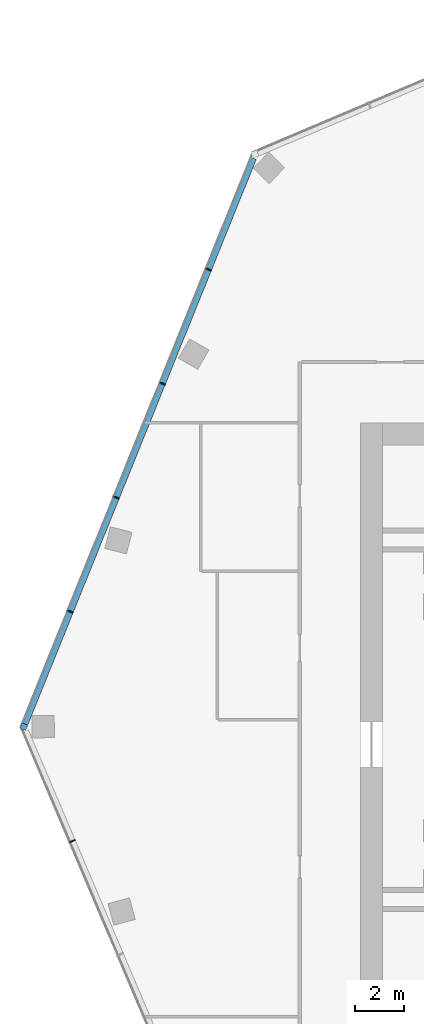
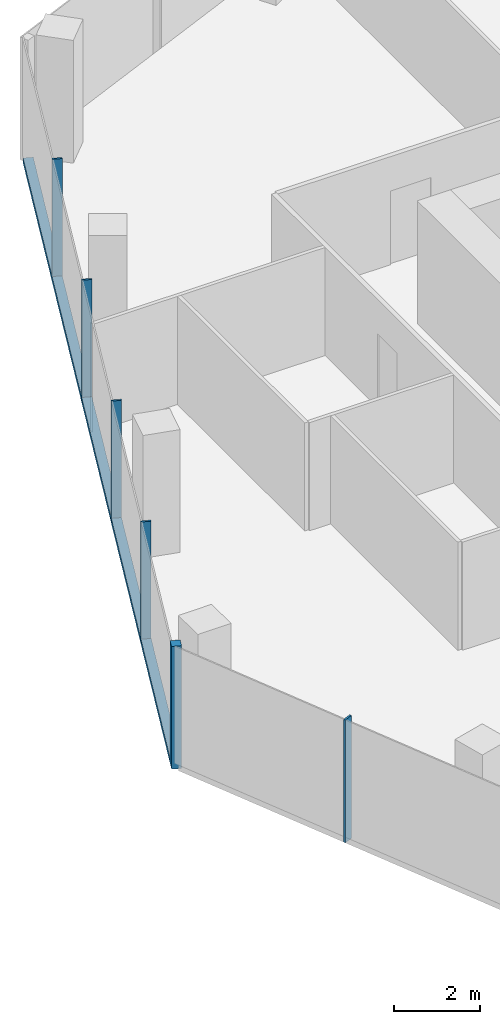
# One storey, part 6 of 16: 7 members, 2 elements without a shape of their own.
"""IFC4 building model written with IfcOpenShell, lengths in metres."""

from ifc_helpers import new_model, si_unit, direction, frame, origin, origin_2d, place, context, subcontext, project, spatial, rectangle, extrude, material, material_profile, profile_set, type_object, element, aggregate, save


model = new_model("IFC4")

# Units and contexts
model_context = context("Model", 3, precision=1e-05, world=origin(), true_north=direction((0.0, 1.0)))
body_context = subcontext(model_context, "Body", "Model", "MODEL_VIEW")
ifc_project = project(units=[si_unit("LENGTHUNIT", "METRE"), si_unit("AREAUNIT", "SQUARE_METRE"), si_unit("VOLUMEUNIT", "CUBIC_METRE"), si_unit("PLANEANGLEUNIT", "RADIAN"), si_unit("MASSUNIT", "GRAM", prefix="KILO")], contexts=[model_context])

# Site, building, storey
site_placement = place(None, origin())
site = spatial("IfcSite", under=ifc_project, at=site_placement, CompositionType="ELEMENT")
building_placement = place(site_placement, origin())
building = spatial("IfcBuilding", under=site, at=building_placement, Name="Orlundy Tower", CompositionType="ELEMENT")
storey_placement = place(building_placement, frame((0.0, 0.0, 282.39990234375)))
storey = spatial("IfcBuildingStorey", under=building, at=storey_placement, Name="L75", CompositionType="ELEMENT", Elevation=282.39990234375)

# Curtain wall, member
ifc_material_1 = material(Name="Aluminium bronze anodised", Category="aluminium")
curtain_wall_type = type_object("IfcCurtainWallType", Name="CW6 wall", PredefinedType="NOTDEFINED", material=ifc_material_1)
curtain_wall_1_placement = place(storey_placement, origin())
curtain_wall_1 = element("IfcCurtainWall", 1, at=curtain_wall_1_placement, inside=storey, type_object=curtain_wall_type, Name="CW6 run 015", PredefinedType="NOTDEFINED")
ifc_material_2 = material(Name="Aluminium bronze anodised", Category="aluminium")
ifc_material_profile_1 = material_profile(ifc_material_2, rectangle(XDim=0.239990234375, YDim=0.239990234375, at=origin_2d()), Name="CW6 corner post 240x240")
ifc_profile_set_1 = profile_set([ifc_material_profile_1], Name="Aluminium bronze anodised")
member_type_1 = type_object("IfcMemberType", Name="CW6 corner post 240x240", PredefinedType="MULLION", material=ifc_profile_set_1)
member_1_placement = place(storey_placement, frame((-32.600830078125, -0.2841796875, -0.39990234375), z_axis=(0.0, 0.0, 1.0), x_axis=(-0.927183523653, 0.374607412456, 0.0)))
member_1 = element("IfcMember", 2, at=member_1_placement, type_object=member_type_1, Name="CW6 mullion 27", PredefinedType="MULLION", context=body_context, shape_type="SweptSolid", body=[
    extrude(rectangle(XDim=0.239990234375, YDim=0.239990234375, at=origin_2d()), origin(), (0.0, 0.0, 1.0), 3.5),
])

curtain_wall_2_placement = place(storey_placement, origin())
curtain_wall_2 = element("IfcCurtainWall", 3, at=curtain_wall_2_placement, inside=storey, type_object=curtain_wall_type, Name="CW6 run 014", PredefinedType="NOTDEFINED")
ifc_material_3 = material(Name="Aluminium bronze anodised", Category="aluminium")
ifc_material_profile_2 = material_profile(ifc_material_3, rectangle(XDim=0.239990234375, YDim=0.050048828125, at=origin_2d()), Name="CW6 mullion 50x240")
ifc_profile_set_2 = profile_set([ifc_material_profile_2], Name="Aluminium bronze anodised")
member_type_2 = type_object("IfcMemberType", Name="CW6 mullion 50x240", PredefinedType="MULLION", material=ifc_profile_set_2)
member_2_placement = place(storey_placement, frame((-30.63916015625, -4.905517578125, -0.39990234375), z_axis=(0.0, 0.0, 1.0), x_axis=(-0.920506804854, -0.390726531244, 0.0)))
member_2 = element("IfcMember", 4, at=member_2_placement, type_object=member_type_2, Name="CW6 mullion 26", PredefinedType="MULLION", context=body_context, shape_type="SweptSolid", body=[
    extrude(rectangle(XDim=0.239990234375, YDim=0.050048828125, at=origin_2d()), origin(), (0.0, 0.0, 1.0), 3.5),
])
aggregate(curtain_wall_2, [member_2])

# Member
member_3_placement = place(storey_placement, frame((-30.72021484375, 4.37060546875, -0.39990234375), z_axis=(0.0, 0.0, 1.0), x_axis=(-0.927183523653, 0.374607412456, 0.0)))
member_3 = element("IfcMember", 5, at=member_3_placement, type_object=member_type_2, Name="CW6 mullion 28", PredefinedType="MULLION", context=body_context, shape_type="SweptSolid", body=[
    extrude(rectangle(XDim=0.239990234375, YDim=0.050048828125, at=origin_2d()), origin(), (0.0, 0.0, 1.0), 3.5),
])

member_4_placement = place(storey_placement, frame((-28.858154296875, 8.979248046875, -0.39990234375), z_axis=(0.0, 0.0, 1.0), x_axis=(-0.927183523653, 0.374607412456, 0.0)))
member_4 = element("IfcMember", 6, at=member_4_placement, type_object=member_type_2, Name="CW6 mullion 29", PredefinedType="MULLION", context=body_context, shape_type="SweptSolid", body=[
    extrude(rectangle(XDim=0.239990234375, YDim=0.050048828125, at=origin_2d()), origin(), (0.0, 0.0, 1.0), 3.5),
])

member_5_placement = place(storey_placement, frame((-26.996337890625, 13.587646484375, -0.39990234375), z_axis=(0.0, 0.0, 1.0), x_axis=(-0.927183523653, 0.374607412456, 0.0)))
member_5 = element("IfcMember", 7, at=member_5_placement, type_object=member_type_2, Name="CW6 mullion 30", PredefinedType="MULLION", context=body_context, shape_type="SweptSolid", body=[
    extrude(rectangle(XDim=0.239990234375, YDim=0.050048828125, at=origin_2d()), origin(), (0.0, 0.0, 1.0), 3.5),
])

member_6_placement = place(storey_placement, frame((-25.13427734375, 18.1962890625, -0.39990234375), z_axis=(0.0, 0.0, 1.0), x_axis=(-0.927183523653, 0.374607412456, 0.0)))
member_6 = element("IfcMember", 8, at=member_6_placement, type_object=member_type_2, Name="CW6 mullion 31", PredefinedType="MULLION", context=body_context, shape_type="SweptSolid", body=[
    extrude(rectangle(XDim=0.239990234375, YDim=0.050048828125, at=origin_2d()), origin(), (0.0, 0.0, 1.0), 3.5),
])

ifc_material_4 = material(Name="Aluminium bronze anodised", Category="aluminium")
ifc_material_profile_3 = material_profile(ifc_material_4, rectangle(XDim=0.239990234375, YDim=0.159912109375, at=origin_2d()), Name="CW6 transom 240x160")
ifc_profile_set_3 = profile_set([ifc_material_profile_3], Name="Aluminium bronze anodised")
member_type_3 = type_object("IfcMemberType", Name="CW6 transom 240x160", PredefinedType="USERDEFINED", material=ifc_profile_set_3)
member_7_placement = place(storey_placement, frame((-32.555908203125, -0.1728515625, -0.31982421875), z_axis=(0.374610845619, 0.927182136554, 0.0), x_axis=(-0.927182136554, 0.374610845619, 0.0)))
member_7 = element("IfcMember", 9, at=member_7_placement, type_object=member_type_3, Name="CW6 transom", ObjectType="TRANSOM", PredefinedType="USERDEFINED", context=body_context, shape_type="SweptSolid", body=[
    extrude(rectangle(XDim=0.239990234375, YDim=0.159912109375, at=origin_2d()), origin(), (0.0, 0.0, 1.0), 24.662353515625),
])

aggregate(curtain_wall_1, [member_1, member_3, member_4, member_5, member_6, member_7])

save(model, "model.ifc")
